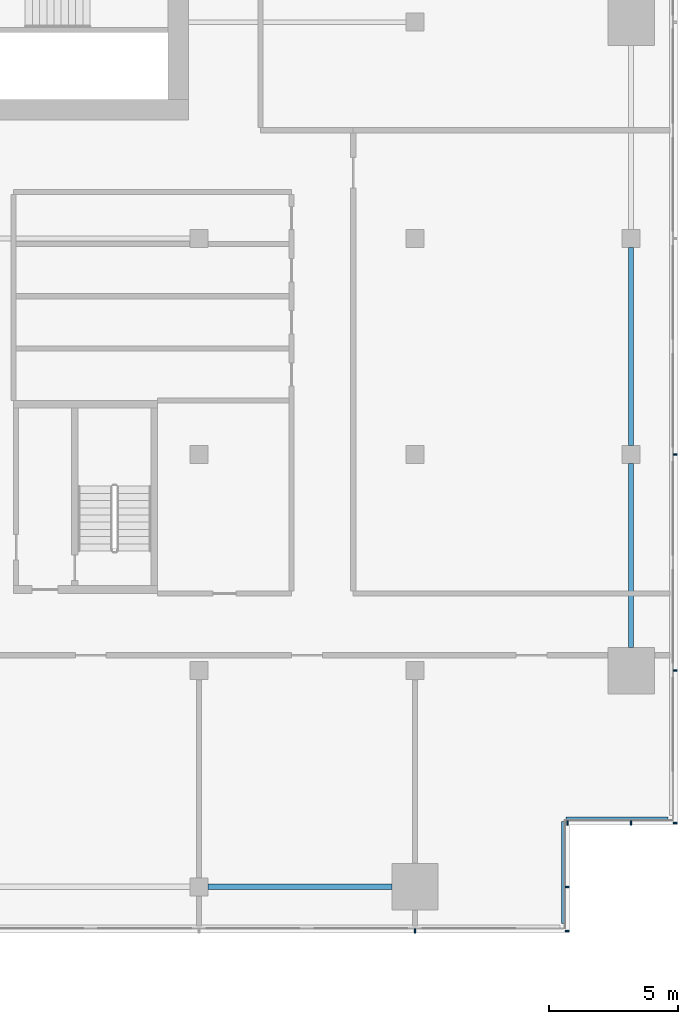
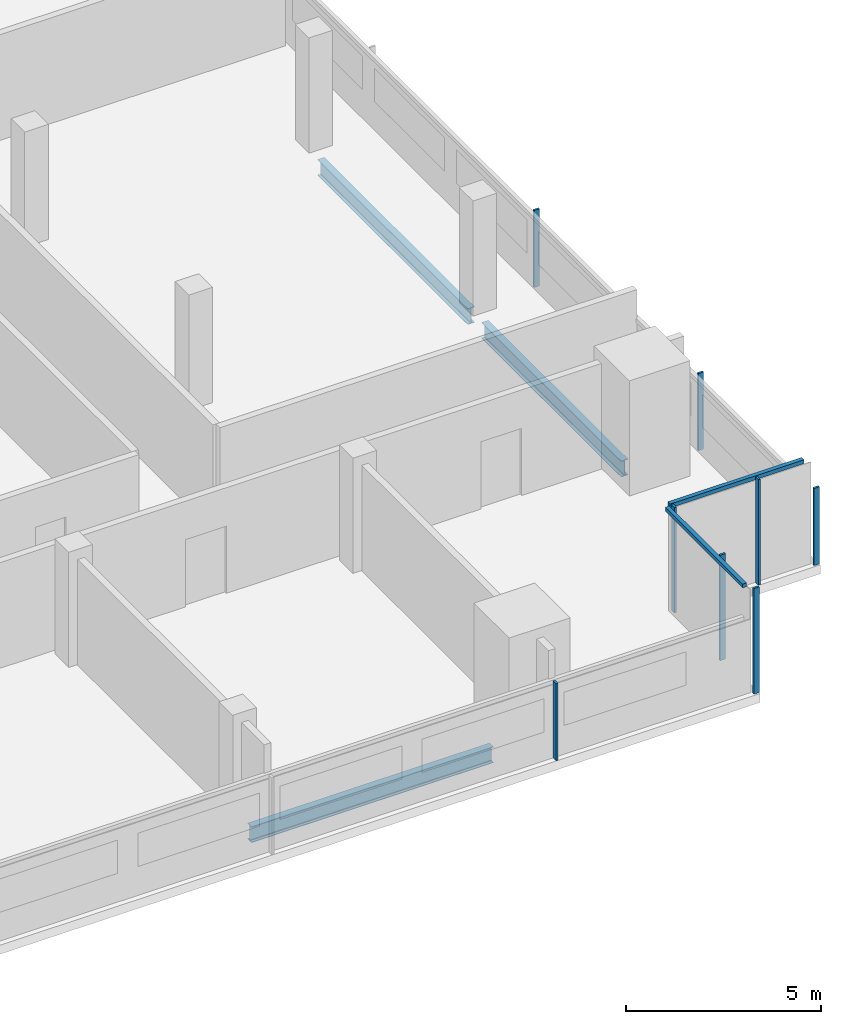
# One storey, part 12 of 24: 10 members, 3 beams, 4 elements without a shape of their own.
"""IFC4 building model written with IfcOpenShell, lengths in metres."""

from ifc_helpers import new_model, si_unit, direction, frame, origin, origin_2d, place, context, subcontext, project, spatial, rectangle, i_section, extrude, material, material_profile, profile_set, type_object, element, aggregate, save


model = new_model("IFC4")

# Units and contexts
model_context = context("Model", 3, precision=1e-05, world=origin(), true_north=direction((0.0, 1.0)))
body_context = subcontext(model_context, "Body", "Model", "MODEL_VIEW")
ifc_project = project(units=[si_unit("LENGTHUNIT", "METRE"), si_unit("AREAUNIT", "SQUARE_METRE"), si_unit("VOLUMEUNIT", "CUBIC_METRE"), si_unit("PLANEANGLEUNIT", "RADIAN"), si_unit("MASSUNIT", "GRAM", prefix="KILO")], contexts=[model_context])

# Site, building, storey
site_placement = place(None, origin())
site = spatial("IfcSite", under=ifc_project, at=site_placement, CompositionType="ELEMENT")
building_placement = place(site_placement, origin())
building = spatial("IfcBuilding", under=site, at=building_placement, Name="Saffron Gate Tower", CompositionType="ELEMENT")
storey_placement = place(building_placement, frame((0.0, 0.0, 190.64990234375)))
storey = spatial("IfcBuildingStorey", under=building, at=storey_placement, Name="L47", CompositionType="ELEMENT", Elevation=190.64990234375)

# Beams
ifc_material_1 = material(Name="Structural steel S355", Category="steel")
ifc_material_profile_1 = material_profile(ifc_material_1, i_section(OverallWidth=0.199951171875, OverallDepth=0.5, WebThickness=0.01025390625, FlangeThickness=0.01611328125, FilletRadius=0.02099609375, at=origin_2d()))
ifc_profile_set_1 = profile_set([ifc_material_profile_1], Name="Structural steel S355")
beam_type = type_object("IfcBeamType", Name="B11 IPE 500", PredefinedType="SPANDREL", material=ifc_profile_set_1)
beam_1_placement = place(storey_placement, frame((108.949951171875, 31.800048828125, -0.52978515625), z_axis=(1.0, 0.0, 0.0), x_axis=(0.0, 1.0, 0.0)))
element("IfcBeam", 1, at=beam_1_placement, inside=storey, type_object=beam_type, Name="B11 SPANDREL BEAM", PredefinedType="SPANDREL", context=body_context, shape_type="SweptSolid", body=[
    extrude(i_section(OverallWidth=0.199951171875, OverallDepth=0.5, WebThickness=0.01025390625, FlangeThickness=0.01611328125, FilletRadius=0.02099609375, at=origin_2d()), origin(), (0.0, 0.0, 1.0), 7.150146484375),
])
beam_2_placement = place(storey_placement, frame((125.39990234375, 41.10009765625, -0.52978515625), z_axis=(0.0, 1.0, 0.0), x_axis=(-1.0, 0.0, 0.0)))
element("IfcBeam", 2, at=beam_2_placement, inside=storey, type_object=beam_type, Name="B11 SPANDREL BEAM", PredefinedType="SPANDREL", context=body_context, shape_type="SweptSolid", body=[
    extrude(i_section(OverallWidth=0.199951171875, OverallDepth=0.5, WebThickness=0.01025390625, FlangeThickness=0.01611328125, FilletRadius=0.02099609375, at=origin_2d()), origin(), (0.0, 0.0, 1.0), 7.14990234375),
])
beam_3_placement = place(storey_placement, frame((125.39990234375, 48.949951171875, -0.52978515625), z_axis=(0.0, 1.0, 0.0), x_axis=(-1.0, 0.0, 0.0)))
element("IfcBeam", 3, at=beam_3_placement, inside=storey, type_object=beam_type, Name="B11 SPANDREL BEAM", PredefinedType="SPANDREL", context=body_context, shape_type="SweptSolid", body=[
    extrude(i_section(OverallWidth=0.199951171875, OverallDepth=0.5, WebThickness=0.01025390625, FlangeThickness=0.01611328125, FilletRadius=0.02099609375, at=origin_2d()), origin(), (0.0, 0.0, 1.0), 7.699951171875),
])

# Curtain wall, member
ifc_material_2 = material(Name="Aluminium, bronze anodised", Category="aluminium")
curtain_wall_type_1 = type_object("IfcCurtainWallType", Name="CWS1 curtain wall front facade", PredefinedType="NOTDEFINED", material=ifc_material_2)
curtain_wall_1_placement = place(storey_placement, origin())
curtain_wall_1 = element("IfcCurtainWall", 4, at=curtain_wall_1_placement, inside=storey, type_object=curtain_wall_type_1, Name="CWS1 run 1", PredefinedType="NOTDEFINED")
ifc_material_profile_2 = material_profile(ifc_material_2, rectangle(XDim=0.159912109375, YDim=0.06005859375, at=origin_2d()))
ifc_profile_set_2 = profile_set([ifc_material_profile_2], Name="Aluminium, bronze anodised")
member_type_1 = type_object("IfcMemberType", Name="CWS1 mullion 60x160", PredefinedType="MULLION", material=ifc_profile_set_2)
member_1_placement = place(storey_placement, frame((117.0, 30.080078125, 0.0), z_axis=(0.0, 0.0, 1.0), x_axis=(0.0, 1.0, 0.0)))
member_1 = element("IfcMember", 5, at=member_1_placement, type_object=member_type_1, Name="CWS1 mullion 9", PredefinedType="MULLION", context=body_context, shape_type="SweptSolid", body=[
    extrude(rectangle(XDim=0.159912109375, YDim=0.06005859375, at=origin_2d()), origin(), (0.0, 0.0, 1.0), 2.41015625),
])
aggregate(curtain_wall_1, [member_1])

# Curtain wall, members
curtain_wall_type_2 = type_object("IfcCurtainWallType", Name="CWS2 curtain wall side facades", PredefinedType="NOTDEFINED", material=ifc_material_2)
curtain_wall_2_placement = place(storey_placement, origin())
curtain_wall_2 = element("IfcCurtainWall", 6, at=curtain_wall_2_placement, inside=storey, type_object=curtain_wall_type_2, Name="CWS2 run 4", PredefinedType="NOTDEFINED")
ifc_material_profile_3 = material_profile(ifc_material_2, rectangle(XDim=0.159912109375, YDim=0.06005859375, at=origin_2d()))
ifc_profile_set_3 = profile_set([ifc_material_profile_3], Name="Aluminium, bronze anodised")
member_type_2 = type_object("IfcMemberType", Name="CWS2 mullion 60x160", PredefinedType="MULLION", material=ifc_profile_set_3)
member_2_placement = place(storey_placement, frame((127.1201171875, 34.280029296875, 0.0), z_axis=(0.0, 0.0, 1.0), x_axis=(-1.0, 0.0, 0.0)))
member_2 = element("IfcMember", 7, at=member_2_placement, type_object=member_type_2, Name="CWS2 mullion 1", PredefinedType="MULLION", context=body_context, shape_type="SweptSolid", body=[
    extrude(rectangle(XDim=0.159912109375, YDim=0.06005859375, at=origin_2d()), origin(), (0.0, 0.0, 1.0), 2.41015625),
])
member_3_placement = place(storey_placement, frame((127.1201171875, 40.199951171875, 0.0), z_axis=(0.0, 0.0, 1.0), x_axis=(-1.0, 0.0, 0.0)))
member_3 = element("IfcMember", 8, at=member_3_placement, type_object=member_type_2, Name="CWS2 mullion 2", PredefinedType="MULLION", context=body_context, shape_type="SweptSolid", body=[
    extrude(rectangle(XDim=0.159912109375, YDim=0.06005859375, at=origin_2d()), origin(), (0.0, 0.0, 1.0), 2.41015625),
])
member_4_placement = place(storey_placement, frame((127.1201171875, 48.60009765625, 0.0), z_axis=(0.0, 0.0, 1.0), x_axis=(-1.0, 0.0, 0.0)))
member_4 = element("IfcMember", 9, at=member_4_placement, type_object=member_type_2, Name="CWS2 mullion 3", PredefinedType="MULLION", context=body_context, shape_type="SweptSolid", body=[
    extrude(rectangle(XDim=0.159912109375, YDim=0.06005859375, at=origin_2d()), origin(), (0.0, 0.0, 1.0), 2.41015625),
])
aggregate(curtain_wall_2, [member_2, member_3, member_4])

# Curtain wall, member
curtain_wall_type_3 = type_object("IfcCurtainWallType", Name="CWS4 curtain wall corner returns", PredefinedType="NOTDEFINED", material=ifc_material_2)
curtain_wall_3_placement = place(storey_placement, origin())
curtain_wall_3 = element("IfcCurtainWall", 10, at=curtain_wall_3_placement, inside=storey, type_object=curtain_wall_type_3, Name="CWS4 run 2", PredefinedType="NOTDEFINED")
ifc_material_profile_4 = material_profile(ifc_material_2, rectangle(XDim=0.1201171875, YDim=0.1201171875, at=origin_2d()))
ifc_profile_set_4 = profile_set([ifc_material_profile_4], Name="Aluminium, bronze anodised")
member_type_3 = type_object("IfcMemberType", Name="CWS4 head transom", PredefinedType="USERDEFINED", material=ifc_profile_set_4)
member_5_placement = place(storey_placement, frame((122.751953125, 30.367919921875, 3.239990234375), z_axis=(0.0, 1.0, 0.0), x_axis=(-1.0, 0.0, 0.0)))
member_5 = element("IfcMember", 11, at=member_5_placement, type_object=member_type_3, Name="CWS4 head transom", ObjectType="TRANSOM", PredefinedType="USERDEFINED", context=body_context, shape_type="SweptSolid", body=[
    extrude(rectangle(XDim=0.1201171875, YDim=0.1201171875, at=origin_2d()), origin(), (0.0, 0.0, 1.0), 3.9599609375),
])

curtain_wall_4_placement = place(storey_placement, origin())
curtain_wall_4 = element("IfcCurtainWall", 12, at=curtain_wall_4_placement, inside=storey, type_object=curtain_wall_type_3, Name="CWS4 run 3", PredefinedType="NOTDEFINED")
member_6_placement = place(storey_placement, frame((122.8720703125, 34.447998046875, 3.239990234375), z_axis=(1.0, 0.0, 0.0), x_axis=(0.0, 1.0, 0.0)))
member_6 = element("IfcMember", 13, at=member_6_placement, type_object=member_type_3, Name="CWS4 head transom", ObjectType="TRANSOM", PredefinedType="USERDEFINED", context=body_context, shape_type="SweptSolid", body=[
    extrude(rectangle(XDim=0.1201171875, YDim=0.1201171875, at=origin_2d()), origin(), (0.0, 0.0, 1.0), 3.9599609375),
])

# Member
ifc_material_profile_5 = material_profile(ifc_material_2, rectangle(XDim=0.159912109375, YDim=0.06005859375, at=origin_2d()))
ifc_profile_set_5 = profile_set([ifc_material_profile_5], Name="Aluminium, bronze anodised")
member_type_4 = type_object("IfcMemberType", Name="CWS4 mullion 60x160", PredefinedType="MULLION", material=ifc_profile_set_5)
member_7_placement = place(storey_placement, frame((122.919921875, 30.080078125, 0.0), z_axis=(0.0, 0.0, 1.0), x_axis=(-1.0, 0.0, 0.0)))
member_7 = element("IfcMember", 14, at=member_7_placement, type_object=member_type_4, Name="CWS4 mullion 1", PredefinedType="MULLION", context=body_context, shape_type="SweptSolid", body=[
    extrude(rectangle(XDim=0.159912109375, YDim=0.06005859375, at=origin_2d()), origin(), (0.0, 0.0, 1.0), 3.300048828125),
])

member_8_placement = place(storey_placement, frame((122.919921875, 31.800048828125, 0.0), z_axis=(0.0, 0.0, 1.0), x_axis=(-1.0, 0.0, 0.0)))
member_8 = element("IfcMember", 15, at=member_8_placement, type_object=member_type_4, Name="CWS4 mullion 2", PredefinedType="MULLION", context=body_context, shape_type="SweptSolid", body=[
    extrude(rectangle(XDim=0.159912109375, YDim=0.06005859375, at=origin_2d()), origin(), (0.0, 0.0, 1.0), 3.300048828125),
])

aggregate(curtain_wall_3, [member_7, member_8, member_5])

member_9_placement = place(storey_placement, frame((122.919921875, 34.280029296875, 0.0), z_axis=(0.0, 0.0, 1.0), x_axis=(0.0, 1.0, 0.0)))
member_9 = element("IfcMember", 16, at=member_9_placement, type_object=member_type_4, Name="CWS4 mullion 1", PredefinedType="MULLION", context=body_context, shape_type="SweptSolid", body=[
    extrude(rectangle(XDim=0.159912109375, YDim=0.06005859375, at=origin_2d()), origin(), (0.0, 0.0, 1.0), 3.300048828125),
])

member_10_placement = place(storey_placement, frame((125.39990234375, 34.280029296875, 0.0), z_axis=(0.0, 0.0, 1.0), x_axis=(0.0, 1.0, 0.0)))
member_10 = element("IfcMember", 17, at=member_10_placement, type_object=member_type_4, Name="CWS4 mullion 2", PredefinedType="MULLION", context=body_context, shape_type="SweptSolid", body=[
    extrude(rectangle(XDim=0.159912109375, YDim=0.06005859375, at=origin_2d()), origin(), (0.0, 0.0, 1.0), 3.300048828125),
])

aggregate(curtain_wall_4, [member_9, member_10, member_6])

save(model, "model.ifc")
